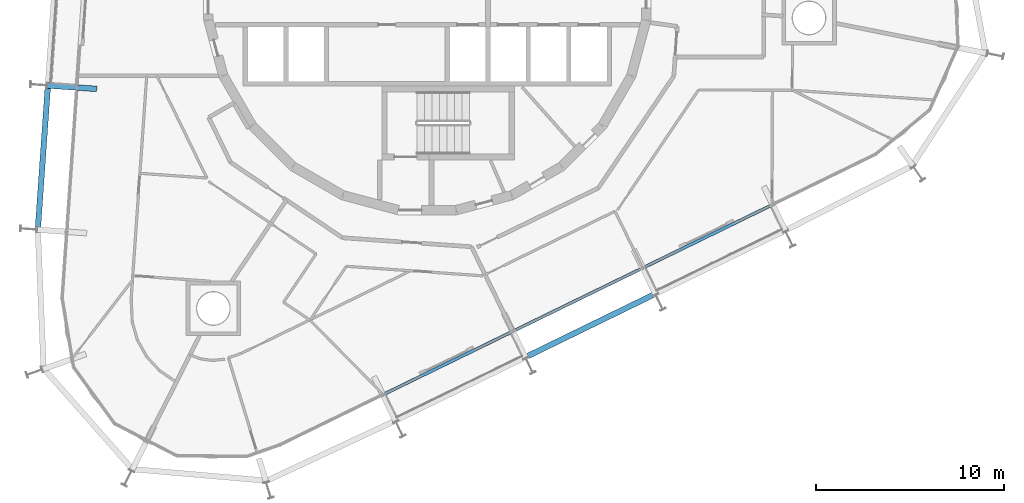
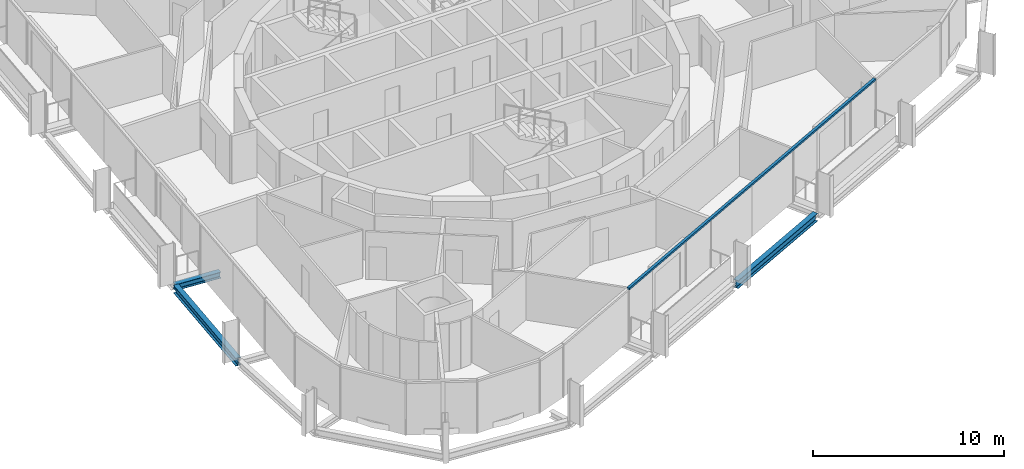
# One storey, part 3 of 17: 3 beams, 1 member, 1 element without a shape of its own.
"""IFC4 building model written with IfcOpenShell, lengths in metres."""

from ifc_helpers import new_model, si_unit, direction, frame, origin, origin_2d, place, context, subcontext, project, spatial, rectangle, i_section, extrude, material, layer, layer_set, material_profile, profile_set, type_object, element, aggregate, save


model = new_model("IFC4")

# Units and contexts
model_context = context("Model", 3, precision=1e-05, world=origin(), true_north=direction((0.0, 1.0)))
body_context = subcontext(model_context, "Body", "Model", "MODEL_VIEW")
ifc_project = project(units=[si_unit("LENGTHUNIT", "METRE"), si_unit("AREAUNIT", "SQUARE_METRE"), si_unit("VOLUMEUNIT", "CUBIC_METRE"), si_unit("PLANEANGLEUNIT", "RADIAN"), si_unit("MASSUNIT", "GRAM", prefix="KILO")], contexts=[model_context])

# Site, building, storey
site_placement = place(None, origin())
site = spatial("IfcSite", under=ifc_project, at=site_placement, CompositionType="ELEMENT")
building_placement = place(site_placement, origin())
building = spatial("IfcBuilding", under=site, at=building_placement, Name="Spindle Arch Residences", CompositionType="ELEMENT")
storey_placement = place(building_placement, frame((0.0, 0.0, 216.39990234375)))
storey = spatial("IfcBuildingStorey", under=building, at=storey_placement, Name="L55", CompositionType="ELEMENT", Elevation=216.39990234375)

# Curtain wall, member
ifc_material_1 = material(Name="Aluminium bronze unitised frame with tinted glass", Category="aluminium")
ifc_layer = layer(ifc_material_1, 0.159912109375)
ifc_layer_set = layer_set([ifc_layer], Name="CW-C typical residential unitised wall")
curtain_wall_type = type_object("IfcCurtainWallType", Name="CW-C typical residential unitised wall", PredefinedType="NOTDEFINED", material=ifc_layer_set)
curtain_wall_placement = place(storey_placement, origin())
curtain_wall = element("IfcCurtainWall", 1, at=curtain_wall_placement, inside=storey, type_object=curtain_wall_type, Name="CW-C L55 run 6", PredefinedType="NOTDEFINED")
ifc_material_2 = material(Name="Aluminium bronze anodised transom", Category="aluminium")
ifc_material_profile_1 = material_profile(ifc_material_2, rectangle(XDim=0.159912109375, YDim=0.1201171875, at=origin_2d()), Name="TR 120x160")
ifc_profile_set_1 = profile_set([ifc_material_profile_1], Name="Aluminium bronze anodised transom")
member_type = type_object("IfcMemberType", Name="Bronze transom 120x160", PredefinedType="USERDEFINED", material=ifc_profile_set_1)
member_placement = place(storey_placement, frame((-2.340576171875, -21.45849609375, 2.989990234375), z_axis=(0.898793313451, 0.438372649347, 0.0), x_axis=(-0.438372649347, 0.898793313451, 0.0)))
member = element("IfcMember", 2, at=member_placement, type_object=member_type, Name="CW-C transom 00", ObjectType="TRANSOM", PredefinedType="USERDEFINED", context=body_context, shape_type="SweptSolid", body=[
    extrude(rectangle(XDim=0.159912109375, YDim=0.1201171875, at=origin_2d()), origin(), (0.0, 0.0, 1.0), 23.02099609375),
])
aggregate(curtain_wall, [member])

# Beams
ifc_material_3 = material(Name="Steel S460ML, intumescent coating R 120", Category="steel")
ifc_material_profile_2 = material_profile(ifc_material_3, i_section(OverallWidth=0.300048828125, OverallDepth=0.5, WebThickness=0.014404296875, FlangeThickness=0.028076171875, FilletRadius=0.027099609375, at=origin_2d()), Name="HEB 500")
ifc_profile_set_2 = profile_set([ifc_material_profile_2], Name="Steel S460ML, intumescent coating R 120")
beam_type_1 = type_object("IfcBeamType", Name="Exoskeleton edge beam HEB 500", PredefinedType="BEAM", material=ifc_profile_set_2)
beam_1_placement = place(storey_placement, frame((-20.198974609375, -5.14501953125, -0.6298828125), z_axis=(-0.069725196579, -0.99756623688, 0.0), x_axis=(0.99756623688, -0.069725196579, 0.0)))
element("IfcBeam", 3, at=beam_1_placement, inside=storey, type_object=beam_type_1, Name="Exoskeleton edge beam 16", PredefinedType="BEAM", context=body_context, shape_type="SweptSolid", body=[
    extrude(i_section(OverallWidth=0.300048828125, OverallDepth=0.5, WebThickness=0.014404296875, FlangeThickness=0.028076171875, FilletRadius=0.027099609375, at=origin_2d()), origin(), (0.0, 0.0, 1.0), 7.43359375),
])
beam_2_placement = place(storey_placement, frame((5.3349609375, -19.417236328125, -0.6298828125), z_axis=(0.898791170385, 0.438377043238, 0.0), x_axis=(-0.438377043238, 0.898791170385, 0.0)))
element("IfcBeam", 4, at=beam_2_placement, inside=storey, type_object=beam_type_1, Name="Exoskeleton edge beam 22", PredefinedType="BEAM", context=body_context, shape_type="SweptSolid", body=[
    extrude(i_section(OverallWidth=0.300048828125, OverallDepth=0.5, WebThickness=0.014404296875, FlangeThickness=0.028076171875, FilletRadius=0.027099609375, at=origin_2d()), origin(), (0.0, 0.0, 1.0), 7.433837890625),
])
ifc_material_4 = material(Name="Steel S460ML, intumescent coating R 120", Category="steel")
ifc_material_profile_3 = material_profile(ifc_material_4, i_section(OverallWidth=0.300048828125, OverallDepth=0.389892578125, WebThickness=0.010986328125, FlangeThickness=0.01904296875, FilletRadius=0.027099609375, at=origin_2d()), Name="HEA 400")
ifc_profile_set_3 = profile_set([ifc_material_profile_3], Name="Steel S460ML, intumescent coating R 120")
beam_type_2 = type_object("IfcBeamType", Name="Floor outrigger HEA 400", PredefinedType="BEAM", material=ifc_profile_set_3)
beam_3_placement = place(storey_placement, frame((-20.229736328125, -5.012451171875, -0.574951171875), z_axis=(0.997565124092, -0.069741115528, 0.0), x_axis=(0.069741115528, 0.997565124092, 0.0)))
element("IfcBeam", 5, at=beam_3_placement, inside=storey, type_object=beam_type_2, Name="Floor outrigger 16", PredefinedType="BEAM", context=body_context, shape_type="SweptSolid", body=[
    extrude(i_section(OverallWidth=0.300048828125, OverallDepth=0.389892578125, WebThickness=0.010986328125, FlangeThickness=0.01904296875, FilletRadius=0.027099609375, at=origin_2d()), origin(), (0.0, 0.0, 1.0), 2.64990234375),
])

save(model, "model.ifc")
